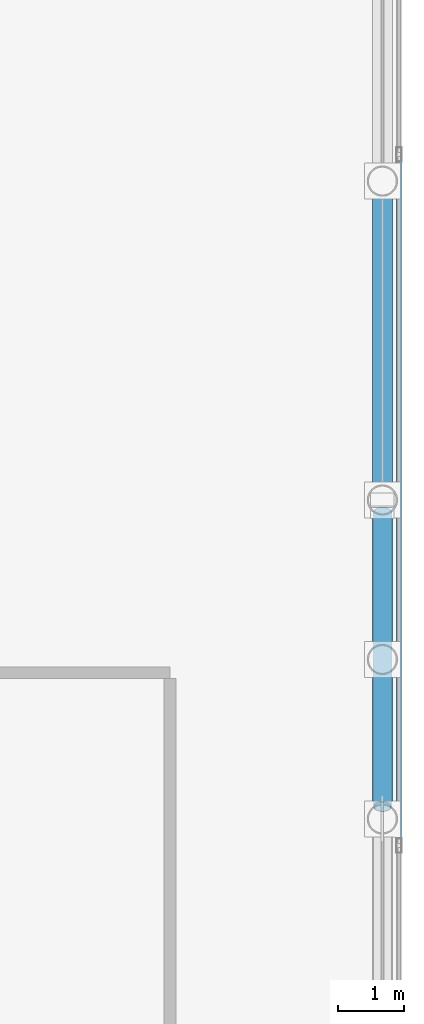
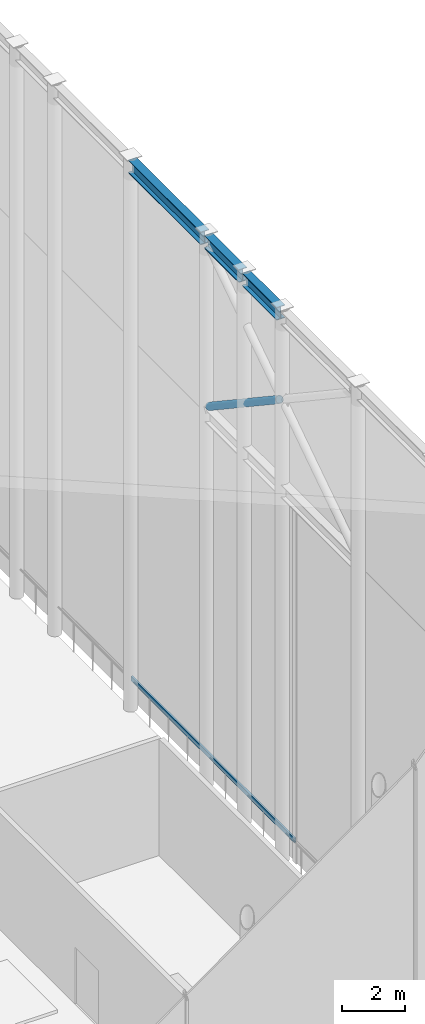
# One storey, part 21 of 42: 3 beams, 2 members, 1 element without a shape of its own.
"""IFC4 building model written with IfcOpenShell, lengths in metres."""

from ifc_helpers import new_model, si_unit, direction, frame, origin, origin_2d, place, context, subcontext, project, spatial, hollow_rectangle, hollow_circle, i_section, extrude, material, layer, layer_set, material_profile, profile_set, type_object, element, aggregate, save


model = new_model("IFC4")

# Units and contexts
model_context = context("Model", 3, precision=1e-05, world=origin(), true_north=direction((0.0, 1.0)))
body_context = subcontext(model_context, "Body", "Model", "MODEL_VIEW")
ifc_project = project(units=[si_unit("LENGTHUNIT", "METRE"), si_unit("AREAUNIT", "SQUARE_METRE"), si_unit("VOLUMEUNIT", "CUBIC_METRE"), si_unit("PLANEANGLEUNIT", "RADIAN"), si_unit("MASSUNIT", "GRAM", prefix="KILO")], contexts=[model_context])

# Site, building, storey
site_placement = place(None, origin())
site = spatial("IfcSite", under=ifc_project, at=site_placement, CompositionType="ELEMENT")
building_placement = place(site_placement, origin())
building = spatial("IfcBuilding", under=site, at=building_placement, Name="Kallvorn Hotel Tower", CompositionType="ELEMENT")
storey_placement = place(building_placement, frame((0.0, 0.0, 306.0)))
storey = spatial("IfcBuildingStorey", under=building, at=storey_placement, Name="ROOF", CompositionType="ELEMENT", Elevation=306.0)

# Beams
ifc_material_1 = material(Name="Structural steel S355JR", Category="steel")
ifc_material_profile_1 = material_profile(ifc_material_1, i_section(OverallWidth=0.300048828125, OverallDepth=0.5, WebThickness=0.014404296875, FlangeThickness=0.028076171875, at=origin_2d()), Name="HE 500 B")
ifc_profile_set_1 = profile_set([ifc_material_profile_1], Name="Structural steel S355JR")
beam_type = type_object("IfcBeamType", Name="BM_HE500B", PredefinedType="SPANDREL", material=ifc_profile_set_1)
beam_1_placement = place(storey_placement, frame((24.0, -9.5, 21.030029296875), z_axis=(0.0, 1.0, 0.0), x_axis=(-1.0, 0.0, 0.0)))
element("IfcBeam", 1, at=beam_1_placement, inside=storey, type_object=beam_type, Name="CROWN FRAME Top Ring Beam 27", PredefinedType="SPANDREL", context=body_context, shape_type="SweptSolid", body=[
    extrude(i_section(OverallWidth=0.300048828125, OverallDepth=0.5, WebThickness=0.014404296875, FlangeThickness=0.028076171875, at=origin_2d()), origin(), (0.0, 0.0, 1.0), 2.199951171875),
])
beam_2_placement = place(storey_placement, frame((24.0, -7.10009765625, 21.030029296875), z_axis=(0.0, 1.0, 0.0), x_axis=(-1.0, 0.0, 0.0)))
element("IfcBeam", 2, at=beam_2_placement, inside=storey, type_object=beam_type, Name="CROWN FRAME Top Ring Beam 28", PredefinedType="SPANDREL", context=body_context, shape_type="SweptSolid", body=[
    extrude(i_section(OverallWidth=0.300048828125, OverallDepth=0.5, WebThickness=0.014404296875, FlangeThickness=0.028076171875, at=origin_2d()), origin(), (0.0, 0.0, 1.0), 2.2001953125),
])
beam_3_placement = place(storey_placement, frame((24.0, -4.699951171875, 21.030029296875), z_axis=(0.0, 1.0, 0.0), x_axis=(-1.0, 0.0, 0.0)))
element("IfcBeam", 3, at=beam_3_placement, inside=storey, type_object=beam_type, Name="CROWN FRAME Top Ring Beam 29", PredefinedType="SPANDREL", context=body_context, shape_type="SweptSolid", body=[
    extrude(i_section(OverallWidth=0.300048828125, OverallDepth=0.5, WebThickness=0.014404296875, FlangeThickness=0.028076171875, at=origin_2d()), origin(), (0.0, 0.0, 1.0), 4.599853515625),
])

# Curtain wall, member
ifc_material_2 = material(Name="Thermally broken black-anodised aluminium AA 6063-T6", Category="aluminium")
ifc_layer = layer(ifc_material_2, 0.18994140625)
ifc_layer_set = layer_set([ifc_layer], Name="CW_SYS_7_CROWN_DRUM")
curtain_wall_type = type_object("IfcCurtainWallType", Name="CW_SYS_7_CROWN_DRUM", PredefinedType="USERDEFINED", material=ifc_layer_set)
curtain_wall_placement = place(storey_placement, origin())
curtain_wall = element("IfcCurtainWall", 4, at=curtain_wall_placement, inside=storey, type_object=curtain_wall_type, Name="ROOF Dark-Glass Curtain Wall CW-ROOF-E1", ObjectType="UNITISED CURTAIN WALL", PredefinedType="USERDEFINED")
ifc_material_3 = material(Name="Thermally broken black-anodised aluminium AA 6063-T6", Category="aluminium")
ifc_material_profile_2 = material_profile(ifc_material_3, hollow_rectangle(XDim=0.070068359375, YDim=0.179931640625, WallThickness=0.00390625, at=origin_2d()), Name="TRN 180x70")
ifc_profile_set_2 = profile_set([ifc_material_profile_2], Name="Thermally broken black-anodised aluminium AA 6063-T6")
member_type_1 = type_object("IfcMemberType", Name="CW_TRANSOM_180x70", PredefinedType="USERDEFINED", material=ifc_profile_set_2)
member_1_placement = place(storey_placement, frame((24.25, -9.9599609375, 0.85009765625), z_axis=(0.0, 1.0, 0.0), x_axis=(-1.0, 0.0, 0.0)))
member_1 = element("IfcMember", 5, at=member_1_placement, type_object=member_type_1, Name="CW-ROOF-E1 Transom 01M", ObjectType="TRANSOM", PredefinedType="USERDEFINED", context=body_context, shape_type="SweptSolid", body=[
    extrude(hollow_rectangle(XDim=0.070068359375, YDim=0.179931640625, WallThickness=0.00390625, at=origin_2d()), origin(), (0.0, 0.0, 1.0), 10.320068359375),
])
aggregate(curtain_wall, [member_1])

# Member
ifc_material_4 = material(Name="Structural steel S355J2H", Category="steel")
ifc_material_profile_3 = material_profile(ifc_material_4, hollow_circle(Radius=0.136474609375, WallThickness=0.010009765625, at=origin_2d()), Name="CHS 273x10")
ifc_profile_set_3 = profile_set([ifc_material_profile_3], Name="Structural steel S355J2H")
member_type_2 = type_object("IfcMemberType", Name="MBR_CROWN_CHS273", PredefinedType="BRACE", material=ifc_profile_set_3)
member_2_placement = place(storey_placement, frame((24.0, -9.4169921875, 17.6279296875), z_axis=(0.0, 0.832057342826, -0.554689623347), x_axis=(-1.0, 0.0, 0.0)))
element("IfcMember", 6, at=member_2_placement, inside=storey, type_object=member_type_2, Name="CROWN FRAME Ring X-Brace Split Half-Diagonal CE1-2", PredefinedType="BRACE", context=body_context, shape_type="SweptSolid", body=[
    extrude(hollow_circle(Radius=0.136474609375, WallThickness=0.010009765625, at=origin_2d()), origin(), (0.0, 0.0, 1.0), 5.328857421875),
])

save(model, "model.ifc")
